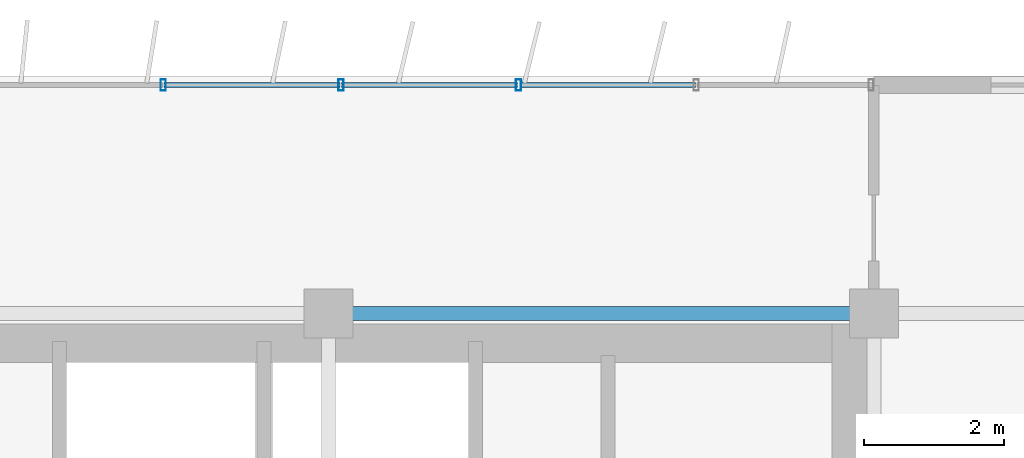
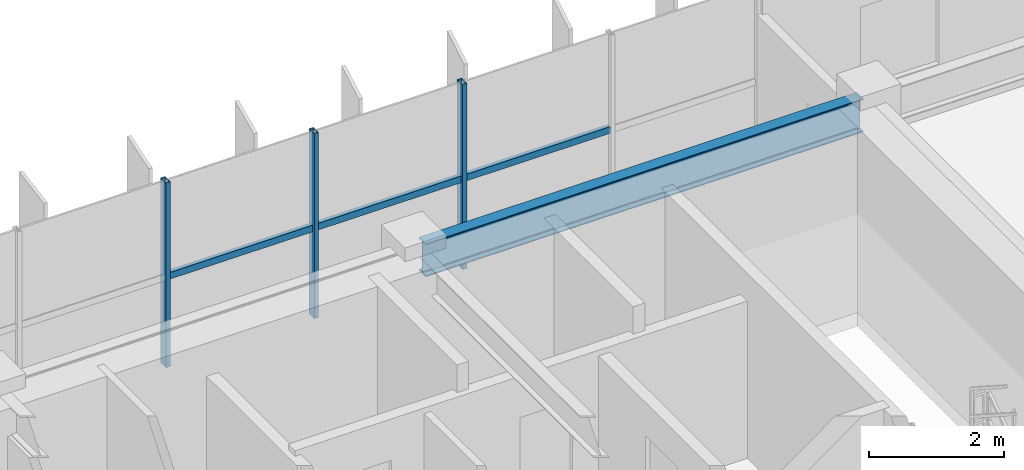
# One storey, part 10 of 20: 6 members, 1 beam, 1 element without a shape of its own.
"""IFC4 building model written with IfcOpenShell, lengths in metres."""

from ifc_helpers import new_model, si_unit, direction, frame, origin, origin_2d, place, context, subcontext, project, spatial, hollow_rectangle, i_section, extrude, source, transform, mapped, material, material_profile, profile_set, type_object, element, aggregate, save


model = new_model("IFC4")

# Units and contexts
model_context = context("Model", 3, precision=1e-05, world=origin(), true_north=direction((0.0, 1.0)))
body_context = subcontext(model_context, "Body", "Model", "MODEL_VIEW")
ifc_project = project(units=[si_unit("LENGTHUNIT", "METRE"), si_unit("AREAUNIT", "SQUARE_METRE"), si_unit("VOLUMEUNIT", "CUBIC_METRE"), si_unit("PLANEANGLEUNIT", "RADIAN"), si_unit("MASSUNIT", "GRAM", prefix="KILO")], contexts=[model_context])

# Site, building, storey
site_placement = place(None, origin())
site = spatial("IfcSite", under=ifc_project, at=site_placement, CompositionType="ELEMENT")
building_placement = place(site_placement, origin())
building = spatial("IfcBuilding", under=site, at=building_placement, Name="Trelvane Seafront Commons", CompositionType="ELEMENT")
storey_placement = place(building_placement, frame((0.0, 0.0, 164.5)))
storey = spatial("IfcBuildingStorey", under=building, at=storey_placement, Name="L43", CompositionType="ELEMENT", Elevation=164.5)

# Beam
ifc_material_1 = material(Name="Steel SM355 (S355)", Category="steel")
ifc_material_profile_1 = material_profile(ifc_material_1, i_section(OverallWidth=0.199951171875, OverallDepth=0.60009765625, WebThickness=0.010986328125, FlangeThickness=0.01708984375, at=origin_2d()), Name="H-600x200x11x17")
ifc_profile_set_1 = profile_set([ifc_material_profile_1], Name="Steel SM355 (S355)")
beam_type = type_object("IfcBeamType", Name="STR-SPD-H600", PredefinedType="SPANDREL", material=ifc_profile_set_1)
shared_shape_1 = source(origin(), body_context, "Body", "SweptSolid", [
    extrude(i_section(OverallWidth=0.199951171875, OverallDepth=0.60009765625, WebThickness=0.010986328125, FlangeThickness=0.01708984375, at=origin_2d()), origin(), (0.0, 0.0, 1.0), 7.5),
])
beam_placement = place(storey_placement, frame((51.14990234375, 45.10009765625, 3.050048828125), z_axis=(1.0, 0.0, 0.0), x_axis=(0.0, 1.0, 0.0)))
element("IfcBeam", 1, at=beam_placement, inside=storey, type_object=beam_type, Name="L43 Primary Girder G-27", PredefinedType="SPANDREL", context=body_context, shape_type="MappedRepresentation", body=[
    mapped(shared_shape_1, transform((0.0, 0.0, 0.0), x_axis=(1.0, 0.0, 0.0), y_axis=(0.0, 1.0, 0.0), z_axis=(0.0, 0.0, 1.0), scale=1.0)),
])

# Curtain wall, members
ifc_material_2 = material(Name="Anodised pale-silver aluminium", Category="aluminium")
curtain_wall_type = type_object("IfcCurtainWallType", Name="ARCH-CW5-UPTOWER", PredefinedType="NOTDEFINED", material=ifc_material_2)
curtain_wall_placement = place(storey_placement, origin())
curtain_wall = element("IfcCurtainWall", 2, at=curtain_wall_placement, inside=storey, type_object=curtain_wall_type, Name="CW-L43-0070", PredefinedType="NOTDEFINED")
ifc_material_profile_2 = material_profile(ifc_material_2, hollow_rectangle(XDim=0.070068359375, YDim=0.1201171875, WallThickness=0.00390625, at=origin_2d()), Name="TRAN-70x120x4")
ifc_profile_set_2 = profile_set([ifc_material_profile_2], Name="Anodised pale-silver aluminium")
member_type_1 = type_object("IfcMemberType", Name="ARCH-CW-TRAN-120", PredefinedType="USERDEFINED", material=ifc_profile_set_2)
shared_shape_2 = source(origin(), body_context, "Body", "SweptSolid", [
    extrude(hollow_rectangle(XDim=0.070068359375, YDim=0.1201171875, WallThickness=0.00390625, at=origin_2d()), origin(), (0.0, 0.0, 1.0), 2.51708984375),
])
member_1_placement = place(storey_placement, frame((51.1884765625, 48.3701171875, 1.60791015625), z_axis=(1.0, 0.0, 0.0), x_axis=(0.0, 1.0, 0.0)))
member_1 = element("IfcMember", 3, at=member_1_placement, type_object=member_type_1, Name="CW-L43-0070-T14", ObjectType="TRANSOM", PredefinedType="USERDEFINED", context=body_context, shape_type="MappedRepresentation", body=[
    mapped(shared_shape_2, transform((0.0, 0.0, 0.0), x_axis=(1.0, 0.0, 0.0), y_axis=(0.0, 1.0, 0.0), z_axis=(0.0, 0.0, 1.0), scale=1.0)),
])
shared_shape_3 = source(origin(), body_context, "Body", "SweptSolid", [
    extrude(hollow_rectangle(XDim=0.070068359375, YDim=0.1201171875, WallThickness=0.00390625, at=origin_2d()), origin(), (0.0, 0.0, 1.0), 2.517333984375),
])
member_2_placement = place(storey_placement, frame((48.647216796875, 48.3701171875, 1.60791015625), z_axis=(1.0, 0.0, 0.0), x_axis=(0.0, 1.0, 0.0)))
member_2 = element("IfcMember", 4, at=member_2_placement, type_object=member_type_1, Name="CW-L43-0070-T13", ObjectType="TRANSOM", PredefinedType="USERDEFINED", context=body_context, shape_type="MappedRepresentation", body=[
    mapped(shared_shape_3, transform((0.0, 0.0, 0.0), x_axis=(1.0, 0.0, 0.0), y_axis=(0.0, 1.0, 0.0), z_axis=(0.0, 0.0, 1.0), scale=1.0)),
])
member_3_placement = place(storey_placement, frame((53.7294921875, 48.3701171875, 1.60791015625), z_axis=(1.0, 0.0, 0.0), x_axis=(0.0, 1.0, 0.0)))
member_3 = element("IfcMember", 5, at=member_3_placement, type_object=member_type_1, Name="CW-L43-0070-T15", ObjectType="TRANSOM", PredefinedType="USERDEFINED", context=body_context, shape_type="MappedRepresentation", body=[
    mapped(shared_shape_3, transform((0.0, 0.0, 0.0), x_axis=(1.0, 0.0, 0.0), y_axis=(0.0, 1.0, 0.0), z_axis=(0.0, 0.0, 1.0), scale=1.0)),
])
ifc_material_profile_3 = material_profile(ifc_material_2, hollow_rectangle(XDim=0.074951171875, YDim=0.159912109375, WallThickness=0.00390625, at=origin_2d()), Name="MULL-75x160x4")
ifc_profile_set_3 = profile_set([ifc_material_profile_3], Name="Anodised pale-silver aluminium")
member_type_2 = type_object("IfcMemberType", Name="ARCH-CW-MULL-160", PredefinedType="MULLION", material=ifc_profile_set_3)
shared_shape_4 = source(origin(), body_context, "Body", "SweptSolid", [
    extrude(hollow_rectangle(XDim=0.074951171875, YDim=0.159912109375, WallThickness=0.00390625, at=origin_2d()), origin(), (0.0, 0.0, 1.0), 3.35009765625),
])
member_4_placement = place(storey_placement, frame((48.63525390625, 48.3701171875, 0.0), z_axis=(0.0, 0.0, 1.0), x_axis=(1.0, 0.0, 0.0)))
member_4 = element("IfcMember", 6, at=member_4_placement, type_object=member_type_2, Name="CW-L43-0070-M13", PredefinedType="MULLION", context=body_context, shape_type="MappedRepresentation", body=[
    mapped(shared_shape_4, transform((0.0, 0.0, 0.0), x_axis=(1.0, 0.0, 0.0), y_axis=(0.0, 1.0, 0.0), z_axis=(0.0, 0.0, 1.0), scale=1.0)),
])
member_5_placement = place(storey_placement, frame((51.176513671875, 48.3701171875, 0.0), z_axis=(0.0, 0.0, 1.0), x_axis=(1.0, 0.0, 0.0)))
member_5 = element("IfcMember", 7, at=member_5_placement, type_object=member_type_2, Name="CW-L43-0070-M14", PredefinedType="MULLION", context=body_context, shape_type="MappedRepresentation", body=[
    mapped(shared_shape_4, transform((0.0, 0.0, 0.0), x_axis=(1.0, 0.0, 0.0), y_axis=(0.0, 1.0, 0.0), z_axis=(0.0, 0.0, 1.0), scale=1.0)),
])
member_6_placement = place(storey_placement, frame((53.717529296875, 48.3701171875, 0.0), z_axis=(0.0, 0.0, 1.0), x_axis=(1.0, 0.0, 0.0)))
member_6 = element("IfcMember", 8, at=member_6_placement, type_object=member_type_2, Name="CW-L43-0070-M15", PredefinedType="MULLION", context=body_context, shape_type="MappedRepresentation", body=[
    mapped(shared_shape_4, transform((0.0, 0.0, 0.0), x_axis=(1.0, 0.0, 0.0), y_axis=(0.0, 1.0, 0.0), z_axis=(0.0, 0.0, 1.0), scale=1.0)),
])
aggregate(curtain_wall, [member_4, member_5, member_6, member_2, member_1, member_3])

save(model, "model.ifc")
